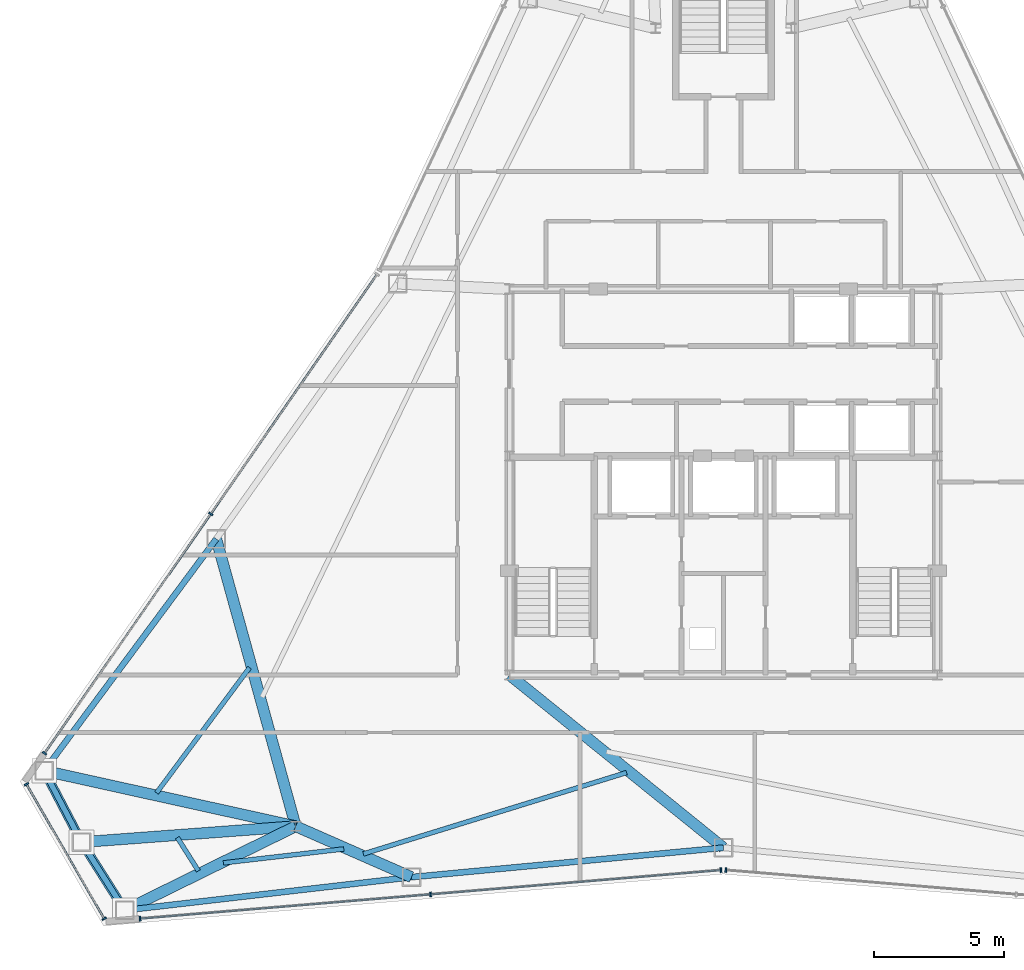
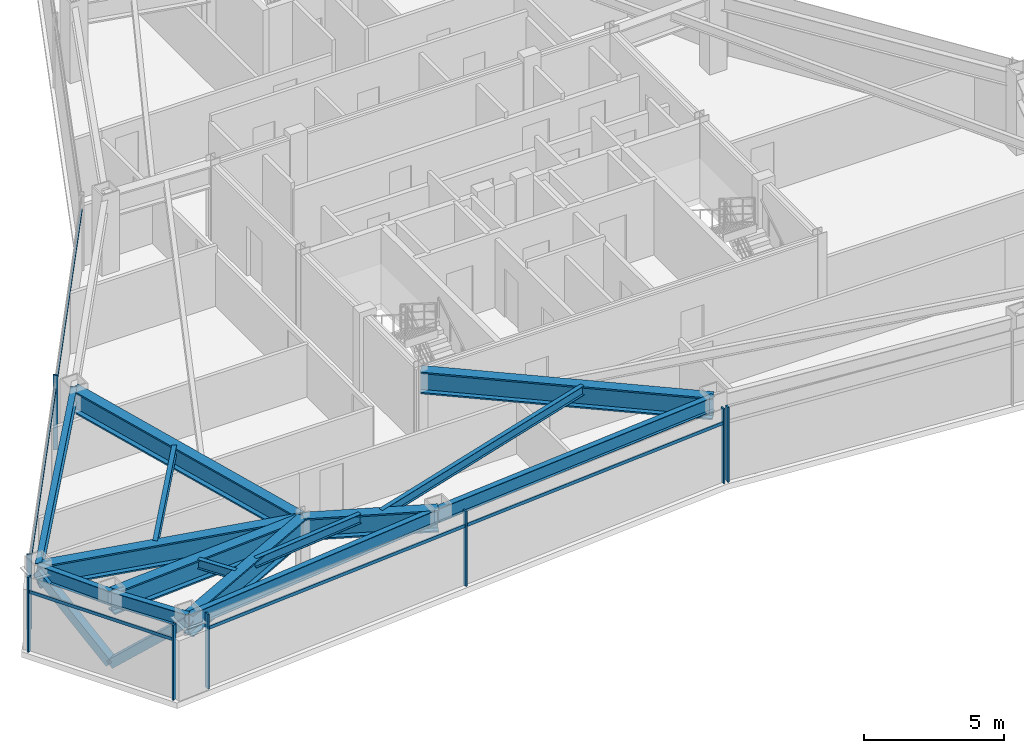
# One storey, part 3 of 12: 15 beams, 13 members, 4 elements without a shape of their own.
"""IFC4 building model written with IfcOpenShell, lengths in metres."""

from ifc_helpers import new_model, si_unit, direction, frame, origin, origin_2d, place, context, subcontext, project, spatial, rectangle, hollow_rectangle, i_section, extrude, source, transform, mapped, material, layer, layer_set, material_profile, profile_set, type_object, type_shapes, element, aggregate, save


model = new_model("IFC4")

# Units and contexts
model_context = context("Model", 3, precision=1e-05, world=origin(), true_north=direction((0.0, 1.0)))
body_context = subcontext(model_context, "Body", "Model", "MODEL_VIEW")
ifc_project = project(units=[si_unit("LENGTHUNIT", "METRE"), si_unit("AREAUNIT", "SQUARE_METRE"), si_unit("VOLUMEUNIT", "CUBIC_METRE"), si_unit("PLANEANGLEUNIT", "RADIAN"), si_unit("MASSUNIT", "GRAM", prefix="KILO")], contexts=[model_context])

# Site, building, storey
site_placement = place(None, origin())
site = spatial("IfcSite", under=ifc_project, at=site_placement, CompositionType="ELEMENT")
building_placement = place(site_placement, origin())
building = spatial("IfcBuilding", under=site, at=building_placement, Name="Varakhsha Concourse Tower", CompositionType="ELEMENT")
storey_placement = place(building_placement, frame((0.0, 0.0, 229.39990234375)))
storey = spatial("IfcBuildingStorey", under=building, at=storey_placement, Name="L65", CompositionType="ELEMENT", Elevation=229.39990234375)

# Beams
ifc_material_1 = material(Name="Structural Steel ASTM A992 Grade 50", Category="steel")
ifc_material_profile_1 = material_profile(ifc_material_1, i_section(OverallWidth=0.177978515625, OverallDepth=0.406982421875, WebThickness=0.008056640625, FlangeThickness=0.012939453125, at=origin_2d()), Name="W16X40")
ifc_profile_set_1 = profile_set([ifc_material_profile_1], Name="Structural Steel ASTM A992 Grade 50")
beam_type_1 = type_object("IfcBeamType", Name="BM-JST-W16X40", PredefinedType="JOIST", material=ifc_profile_set_1)
beam_1_placement = place(storey_placement, frame((21.828369140625, 16.681640625, 3.046630859375), z_axis=(-0.596164609107, -0.802862229058, 0.0), x_axis=(0.802862229058, -0.596164609107, 0.0)))
element("IfcBeam", 1, at=beam_1_placement, inside=storey, type_object=beam_type_1, Name="BM-TJST-L65-06", PredefinedType="JOIST", context=body_context, shape_type="SweptSolid", body=[
    extrude(i_section(OverallWidth=0.177978515625, OverallDepth=0.406982421875, WebThickness=0.008056640625, FlangeThickness=0.012939453125, at=origin_2d()), origin(), (0.0, 0.0, 1.0), 5.97900390625),
])
beam_2_placement = place(storey_placement, frame((19.06103515625, 10.166259765625, 3.046630859375), z_axis=(0.534909949708, -0.844909075406, 0.0), x_axis=(0.844909075406, 0.534909949708, 0.0)))
element("IfcBeam", 2, at=beam_2_placement, inside=storey, type_object=beam_type_1, Name="BM-TJST-L65-08", PredefinedType="JOIST", context=body_context, shape_type="SweptSolid", body=[
    extrude(i_section(OverallWidth=0.177978515625, OverallDepth=0.406982421875, WebThickness=0.008056640625, FlangeThickness=0.012939453125, at=origin_2d()), origin(), (0.0, 0.0, 1.0), 1.51220703125),
])
beam_3_placement = place(storey_placement, frame((20.82470703125, 9.195068359375, 3.046630859375), z_axis=(0.993381548351, 0.114861217978, 0.0), x_axis=(-0.114861217978, 0.993381548351, 0.0)))
element("IfcBeam", 3, at=beam_3_placement, inside=storey, type_object=beam_type_1, Name="BM-TJST-L65-09", PredefinedType="JOIST", context=body_context, shape_type="SweptSolid", body=[
    extrude(i_section(OverallWidth=0.177978515625, OverallDepth=0.406982421875, WebThickness=0.008056640625, FlangeThickness=0.012939453125, at=origin_2d()), origin(), (0.0, 0.0, 1.0), 4.650634765625),
])
beam_4_placement = place(storey_placement, frame((26.19189453125, 9.540283203125, 3.046630859375), z_axis=(0.955439141439, 0.295188155261, 0.0), x_axis=(-0.295188155261, 0.955439141439, 0.0)))
element("IfcBeam", 4, at=beam_4_placement, inside=storey, type_object=beam_type_1, Name="BM-TJST-L65-10", PredefinedType="JOIST", context=body_context, shape_type="SweptSolid", body=[
    extrude(i_section(OverallWidth=0.177978515625, OverallDepth=0.406982421875, WebThickness=0.008056640625, FlangeThickness=0.012939453125, at=origin_2d()), origin(), (0.0, 0.0, 1.0), 10.565673828125),
])
ifc_material_profile_2 = material_profile(ifc_material_1, i_section(OverallWidth=0.423095703125, OverallDepth=0.947998046875, WebThickness=0.0380859375, FlangeThickness=0.06396484375, at=origin_2d()), Name="W36X302")
ifc_profile_set_2 = profile_set([ifc_material_profile_2], Name="Structural Steel ASTM A992 Grade 50")
beam_type_2 = type_object("IfcBeamType", Name="BM-OUTR-W36X302", PredefinedType="USERDEFINED", material=ifc_profile_set_2)
beam_5_placement = place(storey_placement, frame((23.60009765625, 10.60009765625, 2.776123046875), z_axis=(-0.266516826979, 0.963830265626, 0.0), x_axis=(-0.963830265626, -0.266516826979, 0.0)))
element("IfcBeam", 5, at=beam_5_placement, inside=storey, type_object=beam_type_2, Name="L65 Radial Floor Girder 06", ObjectType="GIRDER", PredefinedType="USERDEFINED", context=body_context, shape_type="SweptSolid", body=[
    extrude(i_section(OverallWidth=0.423095703125, OverallDepth=0.947998046875, WebThickness=0.0380859375, FlangeThickness=0.06396484375, at=origin_2d()), origin(), (0.0, 0.0, 1.0), 11.431396484375),
])
beam_6_placement = place(storey_placement, frame((23.60009765625, 10.60009765625, 2.776123046875), z_axis=(-0.976469998414, 0.215653291644, 0.0), x_axis=(-0.215653291644, -0.976469998414, 0.0)))
element("IfcBeam", 6, at=beam_6_placement, inside=storey, type_object=beam_type_2, Name="L65 Radial Floor Girder 07", ObjectType="GIRDER", PredefinedType="USERDEFINED", context=body_context, shape_type="SweptSolid", body=[
    extrude(i_section(OverallWidth=0.423095703125, OverallDepth=0.947998046875, WebThickness=0.0380859375, FlangeThickness=0.06396484375, at=origin_2d()), origin(), (0.0, 0.0, 1.0), 9.878662109375),
])
beam_7_placement = place(storey_placement, frame((23.60009765625, 10.60009765625, 2.776123046875), z_axis=(-0.997261277547, -0.073959071819, 0.0), x_axis=(0.073959071819, -0.997261277547, 0.0)))
element("IfcBeam", 7, at=beam_7_placement, inside=storey, type_object=beam_type_2, Name="L65 Radial Floor Girder 08", ObjectType="GIRDER", PredefinedType="USERDEFINED", context=body_context, shape_type="SweptSolid", body=[
    extrude(i_section(OverallWidth=0.423095703125, OverallDepth=0.947998046875, WebThickness=0.0380859375, FlangeThickness=0.06396484375, at=origin_2d()), origin(), (0.0, 0.0, 1.0), 8.232666015625),
])
beam_8_placement = place(storey_placement, frame((23.60009765625, 10.60009765625, 2.776123046875), z_axis=(-0.897480760127, -0.441053608081, 0.0), x_axis=(0.441053608081, -0.897480760127, 0.0)))
element("IfcBeam", 8, at=beam_8_placement, inside=storey, type_object=beam_type_2, Name="L65 Radial Floor Girder 09", ObjectType="GIRDER", PredefinedType="USERDEFINED", context=body_context, shape_type="SweptSolid", body=[
    extrude(i_section(OverallWidth=0.423095703125, OverallDepth=0.947998046875, WebThickness=0.0380859375, FlangeThickness=0.06396484375, at=origin_2d()), origin(), (0.0, 0.0, 1.0), 7.30517578125),
])
beam_9_placement = place(storey_placement, frame((23.60009765625, 10.60009765625, 2.776123046875), z_axis=(0.915587981704, -0.402117703862, 0.0), x_axis=(0.402117703862, 0.915587981704, 0.0)))
element("IfcBeam", 9, at=beam_9_placement, inside=storey, type_object=beam_type_2, Name="L65 Radial Floor Girder 10", ObjectType="GIRDER", PredefinedType="USERDEFINED", context=body_context, shape_type="SweptSolid", body=[
    extrude(i_section(OverallWidth=0.423095703125, OverallDepth=0.947998046875, WebThickness=0.0380859375, FlangeThickness=0.06396484375, at=origin_2d()), origin(), (0.0, 0.0, 1.0), 4.849853515625),
])
beam_10_placement = place(storey_placement, frame((31.800048828125, 16.39990234375, 2.776123046875), z_axis=(0.777986032506, -0.628281571611, 0.0), x_axis=(0.628281571611, 0.777986032506, 0.0)))
element("IfcBeam", 10, at=beam_10_placement, inside=storey, type_object=beam_type_2, Name="L65 Radial Floor Girder 11", ObjectType="GIRDER", PredefinedType="USERDEFINED", context=body_context, shape_type="SweptSolid", body=[
    extrude(i_section(OverallWidth=0.423095703125, OverallDepth=0.947998046875, WebThickness=0.0380859375, FlangeThickness=0.06396484375, at=origin_2d()), origin(), (0.0, 0.0, 1.0), 10.5400390625),
])
ifc_material_profile_3 = material_profile(ifc_material_1, i_section(OverallWidth=0.22900390625, OverallDepth=0.612060546875, WebThickness=0.011962890625, FlangeThickness=0.02001953125, at=origin_2d()), Name="W24X84")
ifc_profile_set_3 = profile_set([ifc_material_profile_3], Name="Structural Steel ASTM A992 Grade 50")
beam_type_3 = type_object("IfcBeamType", Name="BM-SPAN-W24X84", PredefinedType="SPANDREL", material=ifc_profile_set_3)
beam_11_placement = place(storey_placement, frame((20.553466796875, 21.617919921875, 2.944091796875), z_axis=(-0.596178624109, -0.802851822042, 0.0), x_axis=(0.802851822042, -0.596178624109, 0.0)))
element("IfcBeam", 11, at=beam_11_placement, inside=storey, type_object=beam_type_3, Name="BM-SPAN-L65-06", PredefinedType="SPANDREL", context=body_context, shape_type="SweptSolid", body=[
    extrude(i_section(OverallWidth=0.22900390625, OverallDepth=0.612060546875, WebThickness=0.011962890625, FlangeThickness=0.02001953125, at=origin_2d()), origin(), (0.0, 0.0, 1.0), 11.06982421875),
])
beam_12_placement = place(storey_placement, frame((13.953857421875, 12.73046875, 2.944091796875), z_axis=(0.46430782769, -0.88567389097, 0.0), x_axis=(0.88567389097, 0.46430782769, 0.0)))
element("IfcBeam", 12, at=beam_12_placement, inside=storey, type_object=beam_type_3, Name="BM-SPAN-L65-07", PredefinedType="SPANDREL", context=body_context, shape_type="SweptSolid", body=[
    extrude(i_section(OverallWidth=0.22900390625, OverallDepth=0.612060546875, WebThickness=0.011962890625, FlangeThickness=0.02001953125, at=origin_2d()), origin(), (0.0, 0.0, 1.0), 3.0927734375),
])
beam_13_placement = place(storey_placement, frame((15.389892578125, 9.9912109375, 2.944091796875), z_axis=(0.534851104232, -0.844946327468, 0.0), x_axis=(0.844946327468, 0.534851104232, 0.0)))
element("IfcBeam", 13, at=beam_13_placement, inside=storey, type_object=beam_type_3, Name="BM-SPAN-L65-08", PredefinedType="SPANDREL", context=body_context, shape_type="SweptSolid", body=[
    extrude(i_section(OverallWidth=0.22900390625, OverallDepth=0.612060546875, WebThickness=0.011962890625, FlangeThickness=0.02001953125, at=origin_2d()), origin(), (0.0, 0.0, 1.0), 3.092529296875),
])
beam_14_placement = place(storey_placement, frame((17.0439453125, 7.378173828125, 2.944091796875), z_axis=(0.993379152974, 0.114881932593, 0.0), x_axis=(-0.114881932593, 0.993379152974, 0.0)))
element("IfcBeam", 14, at=beam_14_placement, inside=storey, type_object=beam_type_3, Name="BM-SPAN-L65-09", PredefinedType="SPANDREL", context=body_context, shape_type="SweptSolid", body=[
    extrude(i_section(OverallWidth=0.22900390625, OverallDepth=0.612060546875, WebThickness=0.011962890625, FlangeThickness=0.02001953125, at=origin_2d()), origin(), (0.0, 0.0, 1.0), 11.06982421875),
])
beam_15_placement = place(storey_placement, frame((28.04052734375, 8.64990234375, 2.944091796875), z_axis=(0.995582012356, 0.09389598859, 0.0), x_axis=(-0.09389598859, 0.995582012356, 0.0)))
element("IfcBeam", 15, at=beam_15_placement, inside=storey, type_object=beam_type_3, Name="BM-SPAN-L65-10", PredefinedType="SPANDREL", context=body_context, shape_type="SweptSolid", body=[
    extrude(i_section(OverallWidth=0.22900390625, OverallDepth=0.612060546875, WebThickness=0.011962890625, FlangeThickness=0.02001953125, at=origin_2d()), origin(), (0.0, 0.0, 1.0), 12.012451171875),
])

# Members
ifc_material_2 = material(Name="Structural Steel ASTM A500 Grade C", Category="steel")
ifc_material_profile_4 = material_profile(ifc_material_2, hollow_rectangle(XDim=0.35009765625, YDim=0.35009765625, WallThickness=0.01611328125, at=origin_2d()), Name="HSS 350x350x16")
ifc_profile_set_4 = profile_set([ifc_material_profile_4], Name="Structural Steel ASTM A500 Grade C")
member_type_1 = type_object("IfcMemberType", Name="MB-TUBE-HSS350", PredefinedType="BRACE", material=ifc_profile_set_4)
shared_shape_1 = source(origin(), body_context, "Body", "SweptSolid", [
    extrude(hollow_rectangle(XDim=0.35009765625, YDim=0.35009765625, WallThickness=0.01611328125, at=origin_2d()), origin(), (0.0, 0.0, 1.0), 4.192138671875),
])
member_1_placement = place(storey_placement, frame((15.389892578125, 9.9912109375, 0.1201171875), z_axis=(0.394569925979, -0.623333124392, 0.675107687372), x_axis=(0.844946327468, 0.534851104232, 0.0)))
element("IfcMember", 16, at=member_1_placement, inside=storey, type_object=member_type_1, Name="L65 Wind-Corner Tube Brace B04", PredefinedType="BRACE", context=body_context, shape_type="MappedRepresentation", body=[
    mapped(shared_shape_1, transform((0.0, 0.0, 0.0), scale=1.0)),
])
shared_shape_2 = source(origin(), body_context, "Body", "SweptSolid", [
    extrude(hollow_rectangle(XDim=0.35009765625, YDim=0.35009765625, WallThickness=0.01611328125, at=origin_2d()), origin(), (0.0, 0.0, 1.0), 4.1923828125),
])
type_shapes(member_type_1, [shared_shape_1, shared_shape_2])
member_2_placement = place(storey_placement, frame((15.389892578125, 9.9912109375, 0.1201171875), z_axis=(-0.342544113921, 0.653407847364, 0.675071636955), x_axis=(-0.88567389097, -0.46430782769, 0.0)))
element("IfcMember", 17, at=member_2_placement, inside=storey, type_object=member_type_1, Name="L65 Wind-Corner Tube Brace B03", PredefinedType="BRACE", context=body_context, shape_type="MappedRepresentation", body=[
    mapped(shared_shape_2, transform((0.0, 0.0, 0.0), scale=1.0)),
])

# Curtain wall, members
ifc_material_3 = material(Name="Anodised Bronze Architectural Aluminium AA 6063-T6", Category="aluminium")
ifc_layer = layer(ifc_material_3, 0.199951171875, Name="CW-SYS-05")
ifc_layer_set = layer_set([ifc_layer], Name="Anodised Bronze Architectural Aluminium AA 6063-T6")
curtain_wall_type = type_object("IfcCurtainWallType", Name="CW-SYS-05", PredefinedType="NOTDEFINED", material=ifc_layer_set)
curtain_wall_1_placement = place(storey_placement, origin())
curtain_wall_1 = element("IfcCurtainWall", 18, at=curtain_wall_1_placement, inside=storey, type_object=curtain_wall_type, Name="L65 Crystal Curtain Wall F3", PredefinedType="NOTDEFINED")
ifc_material_profile_5 = material_profile(ifc_material_3, rectangle(XDim=0.06494140625, YDim=0.179931640625, at=origin_2d()), Name="CWM-180X65")
ifc_profile_set_5 = profile_set([ifc_material_profile_5], Name="Anodised Bronze Architectural Aluminium AA 6063-T6")
member_type_2 = type_object("IfcMemberType", Name="CWM-180X65", PredefinedType="MULLION", material=ifc_profile_set_5)
shared_shape_3 = source(origin(), body_context, "Body", "SweptSolid", [
    extrude(rectangle(XDim=0.06494140625, YDim=0.179931640625, at=origin_2d()), origin(), (0.0, 0.0, 1.0), 3.25),
])
type_shapes(member_type_2, [shared_shape_3])
member_3_placement = place(storey_placement, frame((13.968994140625, 13.397705078125, 0.0), z_axis=(0.0, 0.0, 1.0), x_axis=(0.570360953861, 0.821394169879, 0.0)))
member_3 = element("IfcMember", 19, at=member_3_placement, type_object=member_type_2, Name="CW-L65-F3 Mullion 00", PredefinedType="MULLION", context=body_context, shape_type="MappedRepresentation", body=[
    mapped(shared_shape_3, transform((0.0, 0.0, 0.0), scale=1.0)),
])
member_4_placement = place(storey_placement, frame((20.34423828125, 22.578857421875, 0.0), z_axis=(0.0, 0.0, 1.0), x_axis=(0.570360953861, 0.821394169879, 0.0)))
member_4 = element("IfcMember", 20, at=member_4_placement, type_object=member_type_2, Name="CW-L65-F3 Mullion 01", PredefinedType="MULLION", context=body_context, shape_type="MappedRepresentation", body=[
    mapped(shared_shape_3, transform((0.0, 0.0, 0.0), scale=1.0)),
])

curtain_wall_2_placement = place(storey_placement, origin())
curtain_wall_2 = element("IfcCurtainWall", 21, at=curtain_wall_2_placement, inside=storey, type_object=curtain_wall_type, Name="L65 Chamfer Curtain Wall F4", PredefinedType="NOTDEFINED")
member_5_placement = place(storey_placement, frame((16.25634765625, 7.050537109375, 0.0), z_axis=(0.0, 0.0, 1.0), x_axis=(-0.49999395399, 0.866028894422, 0.0)))
member_5 = element("IfcMember", 22, at=member_5_placement, type_object=member_type_2, Name="CW-L65-F4 Mullion 00", PredefinedType="MULLION", context=body_context, shape_type="MappedRepresentation", body=[
    mapped(shared_shape_3, transform((0.0, 0.0, 0.0), scale=1.0)),
])
member_6_placement = place(storey_placement, frame((13.2763671875, 12.212158203125, 0.0), z_axis=(0.0, 0.0, 1.0), x_axis=(-0.49999395399, 0.866028894422, 0.0)))
member_6 = element("IfcMember", 23, at=member_6_placement, type_object=member_type_2, Name="CW-L65-F4 Mullion 01", PredefinedType="MULLION", context=body_context, shape_type="MappedRepresentation", body=[
    mapped(shared_shape_3, transform((0.0, 0.0, 0.0), scale=1.0)),
])

curtain_wall_3_placement = place(storey_placement, origin())
curtain_wall_3 = element("IfcCurtainWall", 24, at=curtain_wall_3_placement, inside=storey, type_object=curtain_wall_type, Name="L65 Crystal Curtain Wall F5", PredefinedType="NOTDEFINED")
member_7_placement = place(storey_placement, frame((39.906982421875, 8.918701171875, 0.0), z_axis=(0.0, 0.0, 1.0), x_axis=(-0.996528985157, -0.083246511889, 0.0)))
member_7 = element("IfcMember", 25, at=member_7_placement, type_object=member_type_2, Name="CW-L65-F5 Mullion 00", PredefinedType="MULLION", context=body_context, shape_type="MappedRepresentation", body=[
    mapped(shared_shape_3, transform((0.0, 0.0, 0.0), scale=1.0)),
])
member_8_placement = place(storey_placement, frame((28.768310546875, 7.98828125, 0.0), z_axis=(0.0, 0.0, 1.0), x_axis=(-0.996528985157, -0.083246511889, 0.0)))
member_8 = element("IfcMember", 26, at=member_8_placement, type_object=member_type_2, Name="CW-L65-F5 Mullion 01", PredefinedType="MULLION", context=body_context, shape_type="MappedRepresentation", body=[
    mapped(shared_shape_3, transform((0.0, 0.0, 0.0), scale=1.0)),
])
member_9_placement = place(storey_placement, frame((17.62939453125, 7.0576171875, 0.0), z_axis=(0.0, 0.0, 1.0), x_axis=(-0.996528985157, -0.083246511889, 0.0)))
member_9 = element("IfcMember", 27, at=member_9_placement, type_object=member_type_2, Name="CW-L65-F5 Mullion 02", PredefinedType="MULLION", context=body_context, shape_type="MappedRepresentation", body=[
    mapped(shared_shape_3, transform((0.0, 0.0, 0.0), scale=1.0)),
])

# Curtain wall, member
curtain_wall_4_placement = place(storey_placement, origin())
curtain_wall_4 = element("IfcCurtainWall", 28, at=curtain_wall_4_placement, inside=storey, type_object=curtain_wall_type, Name="L65 Crystal Curtain Wall F6", PredefinedType="NOTDEFINED")
member_10_placement = place(storey_placement, frame((40.093017578125, 8.918701171875, 0.0), z_axis=(0.0, 0.0, 1.0), x_axis=(-0.996528985157, 0.083246511889, 0.0)))
member_10 = element("IfcMember", 29, at=member_10_placement, type_object=member_type_2, Name="CW-L65-F6 Mullion 02", PredefinedType="MULLION", context=body_context, shape_type="MappedRepresentation", body=[
    mapped(shared_shape_3, transform((0.0, 0.0, 0.0), scale=1.0)),
])
aggregate(curtain_wall_4, [member_10])

# Member
ifc_material_profile_6 = material_profile(ifc_material_3, rectangle(XDim=0.06005859375, YDim=0.139892578125, at=origin_2d()), Name="CWT-140X60")
ifc_profile_set_6 = profile_set([ifc_material_profile_6], Name="Anodised Bronze Architectural Aluminium AA 6063-T6")
member_type_3 = type_object("IfcMemberType", Name="CWT-140X60", PredefinedType="USERDEFINED", material=ifc_profile_set_6)
shared_shape_4 = source(origin(), body_context, "Body", "SweptSolid", [
    extrude(rectangle(XDim=0.06005859375, YDim=0.139892578125, at=origin_2d()), origin(), (0.0, 0.0, 1.0), 22.35498046875),
])
member_11_placement = place(storey_placement, frame((13.968994140625, 13.397705078125, 2.60009765625), z_axis=(0.570362244302, 0.821393273819, 0.0), x_axis=(-0.821393273819, 0.570362244302, 0.0)))
member_11 = element("IfcMember", 30, at=member_11_placement, type_object=member_type_3, Name="CW-L65-F3 Transom 01", ObjectType="TRANSOM", PredefinedType="USERDEFINED", context=body_context, shape_type="MappedRepresentation", body=[
    mapped(shared_shape_4, transform((0.0, 0.0, 0.0), scale=1.0)),
])

aggregate(curtain_wall_1, [member_3, member_4, member_11])

shared_shape_5 = source(origin(), body_context, "Body", "SweptSolid", [
    extrude(rectangle(XDim=0.06005859375, YDim=0.139892578125, at=origin_2d()), origin(), (0.0, 0.0, 1.0), 22.355224609375),
])
member_12_placement = place(storey_placement, frame((39.906982421875, 8.918701171875, 2.60009765625), z_axis=(-0.996528640141, -0.083250641912, 0.0), x_axis=(0.083250641912, -0.996528640141, 0.0)))
member_12 = element("IfcMember", 31, at=member_12_placement, type_object=member_type_3, Name="CW-L65-F5 Transom 01", ObjectType="TRANSOM", PredefinedType="USERDEFINED", context=body_context, shape_type="MappedRepresentation", body=[
    mapped(shared_shape_5, transform((0.0, 0.0, 0.0), scale=1.0)),
])

aggregate(curtain_wall_3, [member_7, member_8, member_9, member_12])

shared_shape_6 = source(origin(), body_context, "Body", "SweptSolid", [
    extrude(rectangle(XDim=0.06005859375, YDim=0.139892578125, at=origin_2d()), origin(), (0.0, 0.0, 1.0), 5.960205078125),
])
type_shapes(member_type_3, [shared_shape_4, shared_shape_5, shared_shape_6])
member_13_placement = place(storey_placement, frame((16.25634765625, 7.050537109375, 2.60009765625), z_axis=(-0.499989573202, 0.866031423615, 0.0), x_axis=(-0.866031423615, -0.499989573202, 0.0)))
member_13 = element("IfcMember", 32, at=member_13_placement, type_object=member_type_3, Name="CW-L65-F4 Transom 01", ObjectType="TRANSOM", PredefinedType="USERDEFINED", context=body_context, shape_type="MappedRepresentation", body=[
    mapped(shared_shape_6, transform((0.0, 0.0, 0.0), scale=1.0)),
])

aggregate(curtain_wall_2, [member_5, member_6, member_13])

save(model, "model.ifc")
